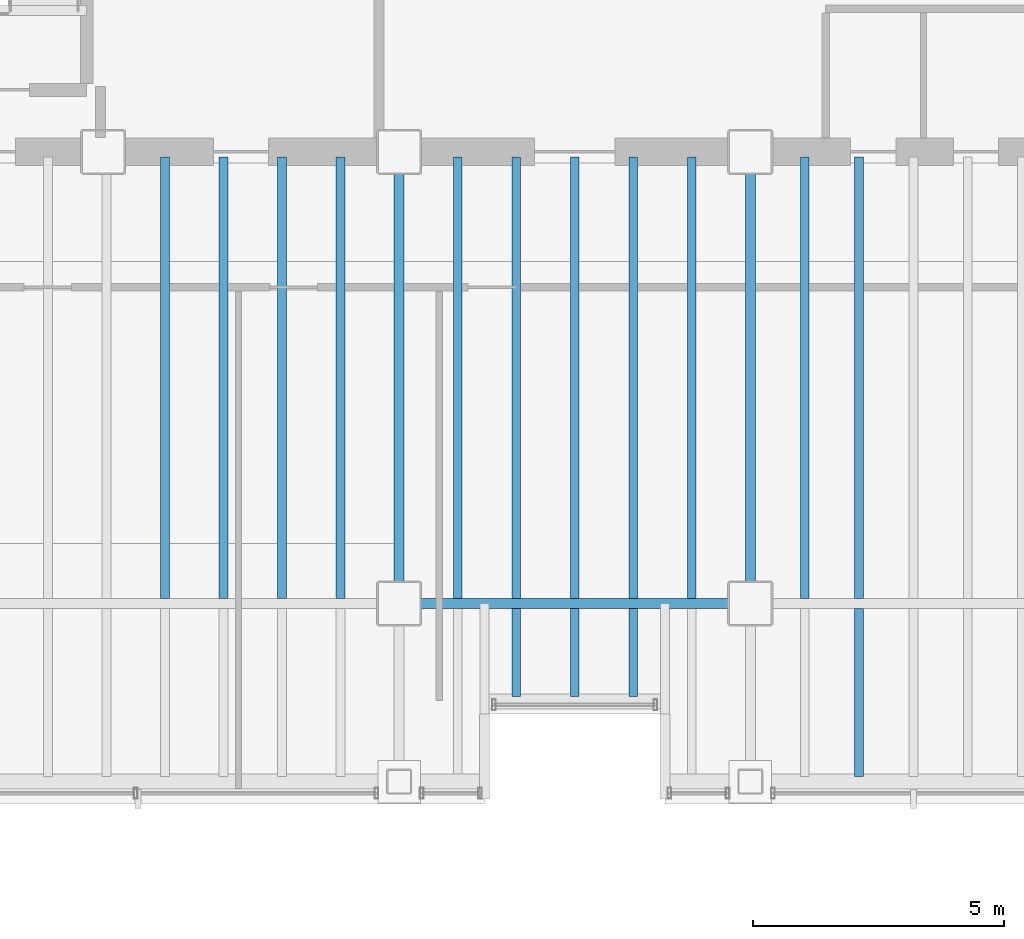
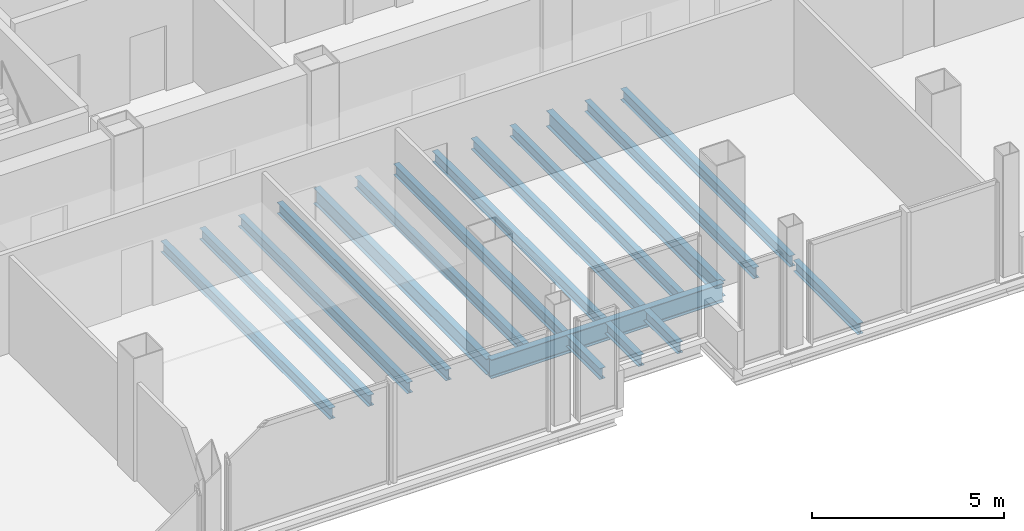
# One storey, part 5 of 19: 18 beams.
"""IFC4 building model written with IfcOpenShell, lengths in metres."""

import ifcopenshell
import ifcopenshell.guid

model = None  # the IFC model being written
_history = None  # IfcOwnerHistory: only IFC2X3 demands one
_inside = {}  # id of a spatial element -> (the spatial element, [elements in it])
_under = {}  # id of a project, library or spatial element -> (it, [spatial elements below it])
_declared = {}  # id of a project -> (the project, [libraries it declares])
_typed = {}  # id of a type object -> (the type object, [elements of that type])
_made_of = {}  # id of a material, layer set ... -> (it, [elements and type objects made of it])


def new_model(schema):
    """Start an empty IFC model of exactly this schema.

    Asked for "IFC4X3", IfcOpenShell would pick the latest addendum, in which some entities
    have other attributes; the version numbers below select the first issue.
    IFC2X3 requires an IfcOwnerHistory on every rooted entity: one is made here for all.
    """
    global model, _history
    if schema == "IFC4X3":
        model = ifcopenshell.file(schema_version=(4, 3, 0, 0))
    else:
        model = ifcopenshell.file(schema=schema)
    _inside.clear()
    _under.clear()
    _declared.clear()
    _typed.clear()
    _made_of.clear()
    _history = None
    if model.schema == "IFC2X3":
        org = make("IfcOrganization", Name="unknown")
        user = make(
            "IfcPersonAndOrganization",
            ThePerson=make("IfcPerson", FamilyName="unknown"),
            TheOrganization=org,
        )
        app = make(
            "IfcApplication",
            ApplicationDeveloper=org,
            Version="unknown",
            ApplicationFullName="unknown",
            ApplicationIdentifier="unknown",
        )
        _history = make(
            "IfcOwnerHistory",
            OwningUser=user,
            OwningApplication=app,
            ChangeAction="ADDED",
            CreationDate=0,
        )
    return model


def make(cls, **values):
    """One entity of the class cls with the attributes given. An attribute that is None is left unset."""
    return model.create_entity(
        cls, **{name: value for name, value in values.items() if value is not None}
    )


def rooted(cls, **values):
    """An entity with a GlobalId (a new one), such as an element, a storey or a relation."""
    return make(cls, GlobalId=ifcopenshell.guid.new(), OwnerHistory=_history, **values)


def si_unit(unit_type, name, prefix=None):
    """IfcSIUnit, for example si_unit("LENGTHUNIT", "METRE", prefix="MILLI")."""
    return make("IfcSIUnit", UnitType=unit_type, Prefix=prefix, Name=name)


def assignment(units):
    """IfcUnitAssignment: the units of a project."""
    return None if units is None else make("IfcUnitAssignment", Units=units)


def point(xyz):
    """IfcCartesianPoint."""
    return None if xyz is None else make("IfcCartesianPoint", Coordinates=xyz)


def direction(xyz):
    """IfcDirection."""
    return None if xyz is None else make("IfcDirection", DirectionRatios=xyz)


def frame(location, z_axis=None, x_axis=None):
    """IfcAxis2Placement3D, a coordinate frame: its origin and axes. An axis left out is left unset."""
    return make(
        "IfcAxis2Placement3D",
        Location=point(location),
        Axis=direction(z_axis),
        RefDirection=direction(x_axis),
    )


def frame_2d(location, x_axis=None):
    """IfcAxis2Placement2D, a coordinate frame in the plane: its origin and x axis."""
    return make(
        "IfcAxis2Placement2D", Location=point(location), RefDirection=direction(x_axis)
    )


def origin():
    """The frame at (0, 0, 0) with its axes left unset."""
    return frame((0.0, 0.0, 0.0))


def origin_2d():
    """The frame at (0, 0) in the plane with its x axis left unset."""
    return frame_2d((0.0, 0.0))


def place(relative_to, where):
    """IfcLocalPlacement: puts the frame where relative to a parent placement (None: the world)."""
    return make(
        "IfcLocalPlacement", PlacementRelTo=relative_to, RelativePlacement=where
    )


def context(
    kind, dimensions, precision=None, world=None, true_north=None, identifier=None
):
    """IfcGeometricRepresentationContext, for example the 3D "Model" context."""
    return make(
        "IfcGeometricRepresentationContext",
        ContextIdentifier=identifier,
        ContextType=kind,
        CoordinateSpaceDimension=dimensions,
        Precision=precision,
        WorldCoordinateSystem=world,
        TrueNorth=true_north,
    )


def subcontext(parent, identifier, kind, view, scale=None):
    """IfcGeometricRepresentationSubContext, for example "Body" below "Model"."""
    return make(
        "IfcGeometricRepresentationSubContext",
        ContextIdentifier=identifier,
        ContextType=kind,
        ParentContext=parent,
        TargetScale=scale,
        TargetView=view,
    )


def project(units=None, contexts=None):
    """IfcProject with its units and contexts."""
    return rooted(
        "IfcProject",
        Name="project",
        RepresentationContexts=contexts,
        UnitsInContext=assignment(units),
    )


def spatial(cls, under=None, at=None, **own):
    """A site, building, storey or space (cls), placed at a placement, below another one or the project."""
    s = rooted(cls, ObjectPlacement=at, **own)
    if under is not None:
        _under.setdefault(under.id(), (under, []))[1].append(s)
    return s


def profile(cls, at=None, kind="AREA", **sizes):
    """A parametric profile (cls). Its sizes go by their IFC names, for example OverallWidth=200.0."""
    return make(cls, ProfileType=kind, Position=at, **sizes)


def i_section(**sizes):
    """IfcIShapeProfileDef."""
    return profile("IfcIShapeProfileDef", **sizes)


def extrude(swept, where, along, depth):
    """IfcExtrudedAreaSolid: the profile swept, set in the frame where, extruded along a direction by depth."""
    return make(
        "IfcExtrudedAreaSolid",
        SweptArea=swept,
        Position=where,
        ExtrudedDirection=direction(along),
        Depth=depth,
    )


def shape(context_of_items, identifier, shape_type, items):
    """IfcShapeRepresentation: the items that make up one representation, for example the "Body"."""
    return make(
        "IfcShapeRepresentation",
        ContextOfItems=context_of_items,
        RepresentationIdentifier=identifier,
        RepresentationType=shape_type,
        Items=items,
    )


def material(Name=None, Category=None):
    """IfcMaterial."""
    return make("IfcMaterial", Name=Name, Category=Category)


def material_profile(
    of_material, cross_section, Name=None, Category=None, Priority=None
):
    """IfcMaterialProfile: a cross section and its material."""
    return make(
        "IfcMaterialProfile",
        Name=Name,
        Material=of_material,
        Profile=cross_section,
        Priority=Priority,
        Category=Category,
    )


def profile_set(profiles, Name=None, composite=None):
    """IfcMaterialProfileSet."""
    return make(
        "IfcMaterialProfileSet",
        Name=Name,
        MaterialProfiles=profiles,
        CompositeProfile=composite,
    )


def made_of(thing, what):
    """Note that an element or type object is made of a material, layer set ...; save() writes the relation."""
    if what is not None:
        _made_of.setdefault(what.id(), (what, []))[1].append(thing)
    return thing


def type_object(cls, material=None, **own):
    """A type object (cls), such as IfcWallType, which elements share."""
    return made_of(rooted(cls, **own), material)


def element(
    cls,
    number,
    at=None,
    inside=None,
    cuts=None,
    type_object=None,
    material=None,
    context=None,
    identifier="Body",
    shape_type=None,
    held_by="IfcProductDefinitionShape",
    body=None,
    shapes=None,
    **own,
):
    """One element of the class cls, such as IfcWall. Its Tag is "e" and its number.

    at: its placement. inside: the storey or other place that contains it. cuts: it is an
    opening in that element (IfcRelVoidsElement). A single representation is given by context,
    identifier, shape_type and body (its items); several are given by shapes. held_by: the class
    of the entity that holds the representations. save() writes the other relations.
    """
    e = rooted(cls, Tag="e%d" % number, ObjectPlacement=at, **own)
    if body is not None:
        shapes = [shape(context, identifier, shape_type, body)]
    if shapes is not None:
        e.Representation = make(held_by, Representations=shapes)
    if inside is not None:
        _inside.setdefault(inside.id(), (inside, []))[1].append(e)
    if cuts is not None:
        rooted(
            "IfcRelVoidsElement", RelatingBuildingElement=cuts, RelatedOpeningElement=e
        )
    if type_object is not None:
        _typed.setdefault(type_object.id(), (type_object, []))[1].append(e)
    return made_of(e, material)


def aggregate(whole, parts):
    """IfcRelAggregates: a whole, such as a stair, and the parts it consists of."""
    return rooted("IfcRelAggregates", RelatingObject=whole, RelatedObjects=parts)


def save(model, path):
    """Write the relations noted so far, then the file.

    IfcRelAggregates (storeys below a building ...), IfcRelContainedInSpatialStructure (elements
    in a storey), IfcRelDefinesByType, IfcRelAssociatesMaterial and IfcRelDeclares: one each for
    every whole, place, type object, material and project.
    """
    for whole, parts in _under.values():
        aggregate(whole, parts)
    for where, things in _inside.values():
        rooted(
            "IfcRelContainedInSpatialStructure",
            RelatedElements=things,
            RelatingStructure=where,
        )
    for kind, things in _typed.values():
        rooted("IfcRelDefinesByType", RelatedObjects=things, RelatingType=kind)
    for what, things in _made_of.values():
        rooted("IfcRelAssociatesMaterial", RelatedObjects=things, RelatingMaterial=what)
    for by, libraries in _declared.values():
        rooted("IfcRelDeclares", RelatingContext=by, RelatedDefinitions=libraries)
    model.write(path)


model = new_model("IFC4")

# Units and contexts
model_context = context("Model", 3, precision=1e-05, world=origin(), true_north=direction((0.0, 1.0)))
body_context = subcontext(model_context, "Body", "Model", "MODEL_VIEW")
ifc_project = project(units=[si_unit("LENGTHUNIT", "METRE"), si_unit("AREAUNIT", "SQUARE_METRE"), si_unit("VOLUMEUNIT", "CUBIC_METRE"), si_unit("PLANEANGLEUNIT", "RADIAN"), si_unit("MASSUNIT", "GRAM", prefix="KILO")], contexts=[model_context])

# Site, building, storey
site_placement = place(None, origin())
site = spatial("IfcSite", under=ifc_project, at=site_placement, CompositionType="ELEMENT")
building_placement = place(site_placement, origin())
building = spatial("IfcBuilding", under=site, at=building_placement, Name="Noeulbin Bourse Tower", CompositionType="ELEMENT")
storey_placement = place(building_placement, frame((0.0, 0.0, 150.0)))
storey = spatial("IfcBuildingStorey", under=building, at=storey_placement, Name="L37", CompositionType="ELEMENT", Elevation=150.0)

# Beams
ifc_material = material(Name="Steel S355", Category="steel")
ifc_material_profile_1 = material_profile(ifc_material, i_section(OverallWidth=0.199951171875, OverallDepth=0.5, WebThickness=0.010009765625, FlangeThickness=0.01611328125, FilletRadius=0.02001953125, at=origin_2d()), Name="H-500x200x10x16", Category="LoadBearing")
ifc_profile_set_1 = profile_set([ifc_material_profile_1], Name="Steel S355")
beam_type_1 = type_object("IfcBeamType", Name="BM-GRD-500", PredefinedType="USERDEFINED", material=ifc_profile_set_1)
for number, where, z_axis, x_axis, name in (
    (1, (24.0, 20.0, -0.429931640625), (0.0, 1.0, 0.0), (-1.0, 0.0, 0.0), "Tower Primary Girder NS L37-2.2"),
    (2, (31.0, 20.0, -0.429931640625), (0.0, 1.0, 0.0), (-1.0, 0.0, 0.0), "Tower Primary Girder NS L37-3.2"),
):
    element("IfcBeam", number, at=place(storey_placement, frame(where, z_axis=z_axis, x_axis=x_axis)), inside=storey, type_object=beam_type_1, Name=name, ObjectType="GIRDER", PredefinedType="USERDEFINED", context=body_context, shape_type="SweptSolid", body=[
        extrude(i_section(OverallWidth=0.199951171875, OverallDepth=0.5, WebThickness=0.010009765625, FlangeThickness=0.01611328125, FilletRadius=0.02001953125, at=origin_2d()), origin(), (0.0, 0.0, 1.0), 9.0),
    ])
ifc_material_profile_2 = material_profile(ifc_material, i_section(OverallWidth=0.199951171875, OverallDepth=0.60009765625, WebThickness=0.010986328125, FlangeThickness=0.01708984375, FilletRadius=0.02197265625, at=origin_2d()), Name="H-600x200x11x17", Category="LoadBearing")
ifc_profile_set_2 = profile_set([ifc_material_profile_2], Name="Steel S355")
beam_type_2 = type_object("IfcBeamType", Name="BM-GRD-600", PredefinedType="USERDEFINED", material=ifc_profile_set_2)
beam_1_placement = place(storey_placement, frame((24.0, 20.0, -0.47998046875), z_axis=(1.0, 0.0, 0.0), x_axis=(0.0, 1.0, 0.0)))
element("IfcBeam", 3, at=beam_1_placement, inside=storey, type_object=beam_type_2, Name="Tower Primary Girder EW L37-1.3", ObjectType="GIRDER", PredefinedType="USERDEFINED", context=body_context, shape_type="SweptSolid", body=[
    extrude(i_section(OverallWidth=0.199951171875, OverallDepth=0.60009765625, WebThickness=0.010986328125, FlangeThickness=0.01708984375, FilletRadius=0.02197265625, at=origin_2d()), origin(), (0.0, 0.0, 1.0), 7.0),
])
ifc_material_profile_3 = material_profile(ifc_material, i_section(OverallWidth=0.175048828125, OverallDepth=0.35009765625, WebThickness=0.007080078125, FlangeThickness=0.010986328125, FilletRadius=0.013916015625, at=origin_2d()), Name="H-350x175x7x11", Category="LoadBearing")
ifc_profile_set_3 = profile_set([ifc_material_profile_3], Name="Steel S355")
beam_type_3 = type_object("IfcBeamType", Name="BM-JST-350", PredefinedType="JOIST", material=ifc_profile_set_3)
for number, where, z_axis, x_axis, name in (
    (4, (19.333251953125, 20.10009765625, -0.35498046875), (0.0, 1.0, 0.0), (-1.0, 0.0, 0.0), "Tower Composite Joist L37-14"),
    (5, (20.5, 20.10009765625, -0.35498046875), (0.0, 1.0, 0.0), (-1.0, 0.0, 0.0), "Tower Composite Joist L37-17"),
    (6, (21.666748046875, 20.10009765625, -0.35498046875), (0.0, 1.0, 0.0), (-1.0, 0.0, 0.0), "Tower Composite Joist L37-20"),
    (7, (22.833251953125, 20.10009765625, -0.35498046875), (0.0, 1.0, 0.0), (-1.0, 0.0, 0.0), "Tower Composite Joist L37-23"),
    (8, (25.166748046875, 20.10009765625, -0.35498046875), (0.0, 1.0, 0.0), (-1.0, 0.0, 0.0), "Tower Composite Joist L37-26"),
):
    element("IfcBeam", number, at=place(storey_placement, frame(where, z_axis=z_axis, x_axis=x_axis)), inside=storey, type_object=beam_type_3, Name=name, PredefinedType="JOIST", context=body_context, shape_type="SweptSolid", body=[
        extrude(i_section(OverallWidth=0.175048828125, OverallDepth=0.35009765625, WebThickness=0.007080078125, FlangeThickness=0.010986328125, FilletRadius=0.013916015625, at=origin_2d()), origin(), (0.0, 0.0, 1.0), 8.7998046875),
    ])
beam_2_placement = place(storey_placement, frame((26.333251953125, 18.14990234375, -0.35498046875), z_axis=(0.0, 1.0, 0.0), x_axis=(-1.0, 0.0, 0.0)))
element("IfcBeam", 9, at=beam_2_placement, inside=storey, type_object=beam_type_3, Name="Tower Composite Joist L37-28", PredefinedType="JOIST", context=body_context, shape_type="SweptSolid", body=[
    extrude(i_section(OverallWidth=0.175048828125, OverallDepth=0.35009765625, WebThickness=0.007080078125, FlangeThickness=0.010986328125, FilletRadius=0.013916015625, at=origin_2d()), origin(), (0.0, 0.0, 1.0), 1.75),
])
beam_3_placement = place(storey_placement, frame((26.333251953125, 20.10009765625, -0.35498046875), z_axis=(0.0, 1.0, 0.0), x_axis=(-1.0, 0.0, 0.0)))
element("IfcBeam", 10, at=beam_3_placement, inside=storey, type_object=beam_type_3, Name="Tower Composite Joist L37-29", PredefinedType="JOIST", context=body_context, shape_type="SweptSolid", body=[
    extrude(i_section(OverallWidth=0.175048828125, OverallDepth=0.35009765625, WebThickness=0.007080078125, FlangeThickness=0.010986328125, FilletRadius=0.013916015625, at=origin_2d()), origin(), (0.0, 0.0, 1.0), 8.7998046875),
])
beam_4_placement = place(storey_placement, frame((27.5, 18.14990234375, -0.35498046875), z_axis=(0.0, 1.0, 0.0), x_axis=(-1.0, 0.0, 0.0)))
element("IfcBeam", 11, at=beam_4_placement, inside=storey, type_object=beam_type_3, Name="Tower Composite Joist L37-31", PredefinedType="JOIST", context=body_context, shape_type="SweptSolid", body=[
    extrude(i_section(OverallWidth=0.175048828125, OverallDepth=0.35009765625, WebThickness=0.007080078125, FlangeThickness=0.010986328125, FilletRadius=0.013916015625, at=origin_2d()), origin(), (0.0, 0.0, 1.0), 1.75),
])
beam_5_placement = place(storey_placement, frame((27.5, 20.10009765625, -0.35498046875), z_axis=(0.0, 1.0, 0.0), x_axis=(-1.0, 0.0, 0.0)))
element("IfcBeam", 12, at=beam_5_placement, inside=storey, type_object=beam_type_3, Name="Tower Composite Joist L37-32", PredefinedType="JOIST", context=body_context, shape_type="SweptSolid", body=[
    extrude(i_section(OverallWidth=0.175048828125, OverallDepth=0.35009765625, WebThickness=0.007080078125, FlangeThickness=0.010986328125, FilletRadius=0.013916015625, at=origin_2d()), origin(), (0.0, 0.0, 1.0), 8.7998046875),
])
beam_6_placement = place(storey_placement, frame((28.666748046875, 18.14990234375, -0.35498046875), z_axis=(0.0, 1.0, 0.0), x_axis=(-1.0, 0.0, 0.0)))
element("IfcBeam", 13, at=beam_6_placement, inside=storey, type_object=beam_type_3, Name="Tower Composite Joist L37-34", PredefinedType="JOIST", context=body_context, shape_type="SweptSolid", body=[
    extrude(i_section(OverallWidth=0.175048828125, OverallDepth=0.35009765625, WebThickness=0.007080078125, FlangeThickness=0.010986328125, FilletRadius=0.013916015625, at=origin_2d()), origin(), (0.0, 0.0, 1.0), 1.75),
])
for number, where, z_axis, x_axis, name in (
    (14, (28.666748046875, 20.10009765625, -0.35498046875), (0.0, 1.0, 0.0), (-1.0, 0.0, 0.0), "Tower Composite Joist L37-35"),
    (15, (29.833251953125, 20.10009765625, -0.35498046875), (0.0, 1.0, 0.0), (-1.0, 0.0, 0.0), "Tower Composite Joist L37-38"),
    (16, (32.083251953125, 20.10009765625, -0.35498046875), (0.0, 1.0, 0.0), (-1.0, 0.0, 0.0), "Tower Composite Joist L37-41"),
):
    element("IfcBeam", number, at=place(storey_placement, frame(where, z_axis=z_axis, x_axis=x_axis)), inside=storey, type_object=beam_type_3, Name=name, PredefinedType="JOIST", context=body_context, shape_type="SweptSolid", body=[
        extrude(i_section(OverallWidth=0.175048828125, OverallDepth=0.35009765625, WebThickness=0.007080078125, FlangeThickness=0.010986328125, FilletRadius=0.013916015625, at=origin_2d()), origin(), (0.0, 0.0, 1.0), 8.7998046875),
    ])
beam_7_placement = place(storey_placement, frame((33.166748046875, 16.550048828125, -0.35498046875), z_axis=(0.0, 1.0, 0.0), x_axis=(-1.0, 0.0, 0.0)))
element("IfcBeam", 17, at=beam_7_placement, inside=storey, type_object=beam_type_3, Name="Tower Composite Joist L37-43", PredefinedType="JOIST", context=body_context, shape_type="SweptSolid", body=[
    extrude(i_section(OverallWidth=0.175048828125, OverallDepth=0.35009765625, WebThickness=0.007080078125, FlangeThickness=0.010986328125, FilletRadius=0.013916015625, at=origin_2d()), origin(), (0.0, 0.0, 1.0), 3.349853515625),
])
beam_8_placement = place(storey_placement, frame((33.166748046875, 20.10009765625, -0.35498046875), z_axis=(0.0, 1.0, 0.0), x_axis=(-1.0, 0.0, 0.0)))
element("IfcBeam", 18, at=beam_8_placement, inside=storey, type_object=beam_type_3, Name="Tower Composite Joist L37-44", PredefinedType="JOIST", context=body_context, shape_type="SweptSolid", body=[
    extrude(i_section(OverallWidth=0.175048828125, OverallDepth=0.35009765625, WebThickness=0.007080078125, FlangeThickness=0.010986328125, FilletRadius=0.013916015625, at=origin_2d()), origin(), (0.0, 0.0, 1.0), 8.7998046875),
])

save(model, "model.ifc")
